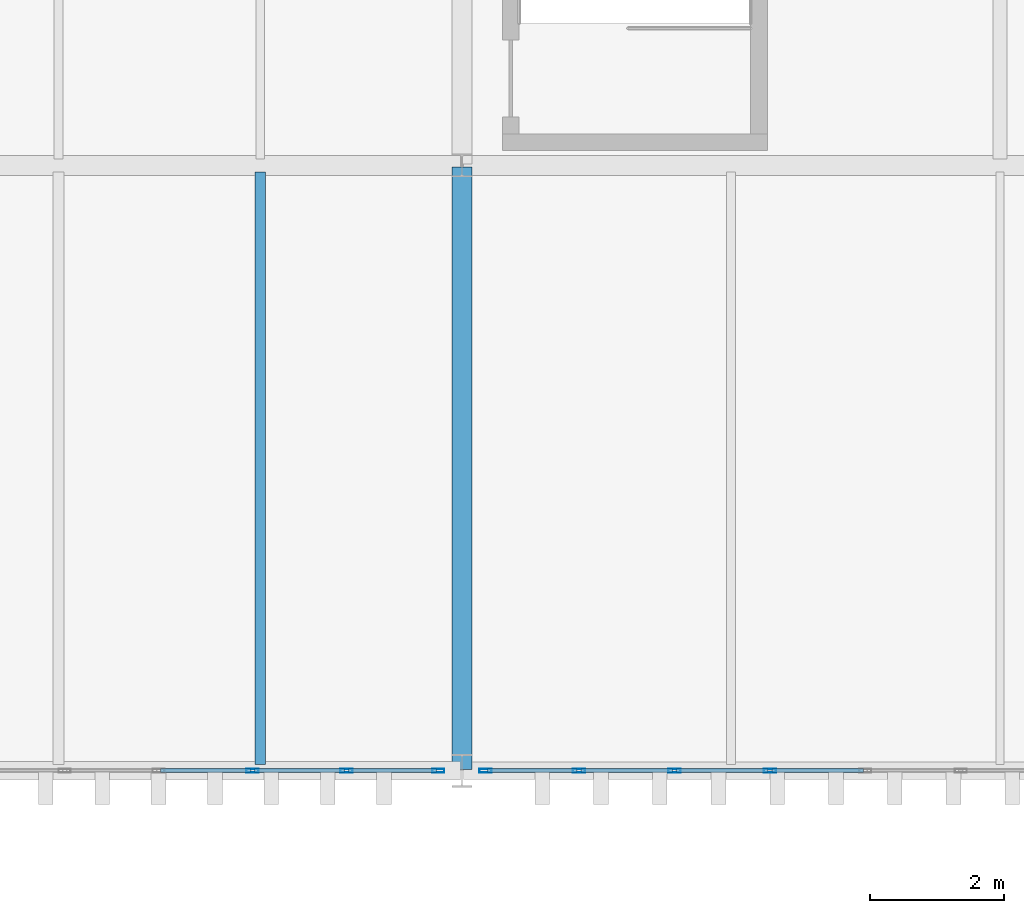
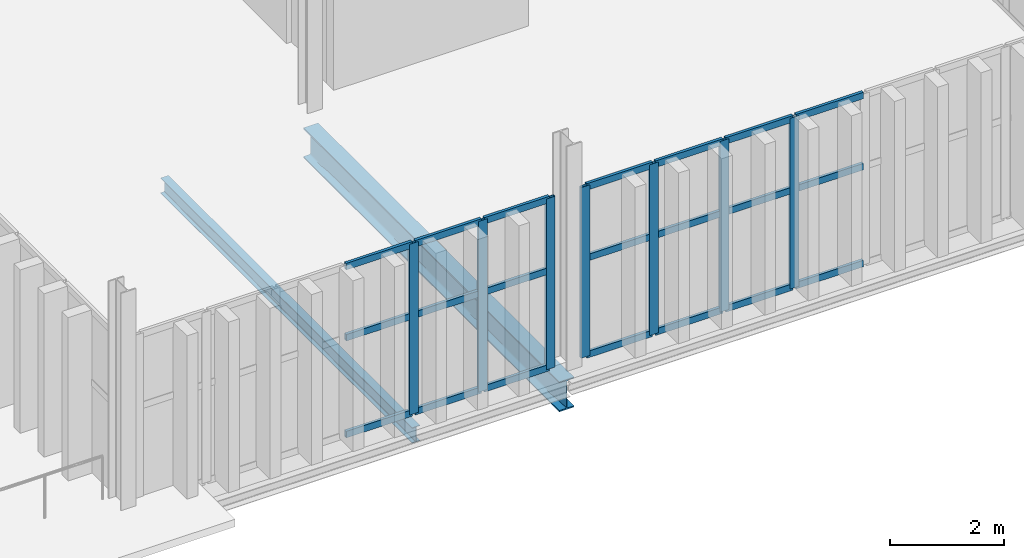
# One storey, part 106 of 196: 28 members, 2 beams, 2 elements without a shape of their own.
"""IFC4 building model written with IfcOpenShell, lengths in metres."""

from ifc_helpers import new_model, si_unit, direction, frame, origin, origin_2d, place, context, subcontext, project, spatial, hollow_rectangle, i_section, extrude, material, layer, layer_set, material_profile, profile_set, type_object, element, aggregate, save


model = new_model("IFC4")

# Units and contexts
model_context = context("Model", 3, precision=1e-05, world=origin(), true_north=direction((0.0, 1.0)))
body_context = subcontext(model_context, "Body", "Model", "MODEL_VIEW")
ifc_project = project(units=[si_unit("LENGTHUNIT", "METRE"), si_unit("AREAUNIT", "SQUARE_METRE"), si_unit("VOLUMEUNIT", "CUBIC_METRE"), si_unit("PLANEANGLEUNIT", "RADIAN"), si_unit("MASSUNIT", "GRAM", prefix="KILO")], contexts=[model_context])

# Site, building, storey
site_placement = place(None, origin())
site = spatial("IfcSite", under=ifc_project, at=site_placement, CompositionType="ELEMENT")
building_placement = place(site_placement, origin())
building = spatial("IfcBuilding", under=site, at=building_placement, Name="Barlavento Convention Centre", CompositionType="ELEMENT")
storey_placement = place(building_placement, frame((0.0, 0.0, 18.0)))
storey = spatial("IfcBuildingStorey", under=building, at=storey_placement, Name="L03", CompositionType="ELEMENT", Elevation=18.0)

# Curtain wall, members
ifc_material_1 = material(Name="Powder-coated aluminium and Low-E glass", Category="aluminium")
ifc_layer = layer(ifc_material_1, 0.179931640625)
ifc_layer_set = layer_set([ifc_layer], Name="ARC-CW-CONF-L03")
curtain_wall_type = type_object("IfcCurtainWallType", Name="ARC-CW-CONF-L03", PredefinedType="NOTDEFINED", material=ifc_layer_set)
curtain_wall_1_placement = place(storey_placement, origin())
curtain_wall_1 = element("IfcCurtainWall", 1, at=curtain_wall_1_placement, inside=storey, type_object=curtain_wall_type, Name="L03 unitised curtain wall CW08", PredefinedType="NOTDEFINED")
ifc_material_2 = material(Name="Powder-coated aluminium", Category="aluminium")
ifc_material_profile_1 = material_profile(ifc_material_2, hollow_rectangle(XDim=0.06005859375, YDim=0.179931640625, WallThickness=0.0048828125, at=origin_2d()), Name="AL-MULL 60x180x5")
ifc_profile_set_1 = profile_set([ifc_material_profile_1], Name="Powder-coated aluminium")
member_type_1 = type_object("IfcMemberType", Name="ARC-CWM-60X180", PredefinedType="MULLION", material=ifc_profile_set_1)
member_1_placement = place(storey_placement, frame((176.885009765625, 0.0, 0.0), z_axis=(0.0, 0.0, 1.0), x_axis=(0.0, 1.0, 0.0)))
member_1 = element("IfcMember", 2, at=member_1_placement, type_object=member_type_1, Name="CW08 mullion 5", PredefinedType="MULLION", context=body_context, shape_type="SweptSolid", body=[
    extrude(hollow_rectangle(XDim=0.06005859375, YDim=0.179931640625, WallThickness=0.0048828125, at=origin_2d()), origin(), (0.0, 0.0, 1.0), 3.64990234375),
])
member_2_placement = place(storey_placement, frame((178.282470703125, 0.0, 0.0), z_axis=(0.0, 0.0, 1.0), x_axis=(0.0, 1.0, 0.0)))
member_2 = element("IfcMember", 3, at=member_2_placement, type_object=member_type_1, Name="CW08 mullion 6", PredefinedType="MULLION", context=body_context, shape_type="SweptSolid", body=[
    extrude(hollow_rectangle(XDim=0.06005859375, YDim=0.179931640625, WallThickness=0.0048828125, at=origin_2d()), origin(), (0.0, 0.0, 1.0), 3.64990234375),
])
member_3_placement = place(storey_placement, frame((179.64990234375, 0.0, 0.0), z_axis=(0.0, 0.0, 1.0), x_axis=(0.0, 1.0, 0.0)))
member_3 = element("IfcMember", 4, at=member_3_placement, type_object=member_type_1, Name="CW08 mullion 7", PredefinedType="MULLION", context=body_context, shape_type="SweptSolid", body=[
    extrude(hollow_rectangle(XDim=0.06005859375, YDim=0.179931640625, WallThickness=0.0048828125, at=origin_2d()), origin(), (0.0, 0.0, 1.0), 3.64990234375),
])

curtain_wall_2_placement = place(storey_placement, origin())
curtain_wall_2 = element("IfcCurtainWall", 5, at=curtain_wall_2_placement, inside=storey, type_object=curtain_wall_type, Name="L03 unitised curtain wall CW08", PredefinedType="NOTDEFINED")
member_4_placement = place(storey_placement, frame((180.35009765625, 0.0, 0.0), z_axis=(0.0, 0.0, 1.0), x_axis=(0.0, 1.0, 0.0)))
member_4 = element("IfcMember", 6, at=member_4_placement, type_object=member_type_1, Name="CW08 mullion 1", PredefinedType="MULLION", context=body_context, shape_type="SweptSolid", body=[
    extrude(hollow_rectangle(XDim=0.06005859375, YDim=0.179931640625, WallThickness=0.0048828125, at=origin_2d()), origin(), (0.0, 0.0, 1.0), 3.64990234375),
])
member_5_placement = place(storey_placement, frame((181.739990234375, 0.0, 0.0), z_axis=(0.0, 0.0, 1.0), x_axis=(0.0, 1.0, 0.0)))
member_5 = element("IfcMember", 7, at=member_5_placement, type_object=member_type_1, Name="CW08 mullion 2", PredefinedType="MULLION", context=body_context, shape_type="SweptSolid", body=[
    extrude(hollow_rectangle(XDim=0.06005859375, YDim=0.179931640625, WallThickness=0.0048828125, at=origin_2d()), origin(), (0.0, 0.0, 1.0), 3.64990234375),
])
member_6_placement = place(storey_placement, frame((183.159912109375, 0.0, 0.0), z_axis=(0.0, 0.0, 1.0), x_axis=(0.0, 1.0, 0.0)))
member_6 = element("IfcMember", 8, at=member_6_placement, type_object=member_type_1, Name="CW08 mullion 3", PredefinedType="MULLION", context=body_context, shape_type="SweptSolid", body=[
    extrude(hollow_rectangle(XDim=0.06005859375, YDim=0.179931640625, WallThickness=0.0048828125, at=origin_2d()), origin(), (0.0, 0.0, 1.0), 3.64990234375),
])
member_7_placement = place(storey_placement, frame((184.580078125, 0.0, 0.0), z_axis=(0.0, 0.0, 1.0), x_axis=(0.0, 1.0, 0.0)))
member_7 = element("IfcMember", 9, at=member_7_placement, type_object=member_type_1, Name="CW08 mullion 4", PredefinedType="MULLION", context=body_context, shape_type="SweptSolid", body=[
    extrude(hollow_rectangle(XDim=0.06005859375, YDim=0.179931640625, WallThickness=0.0048828125, at=origin_2d()), origin(), (0.0, 0.0, 1.0), 3.64990234375),
])

# Member
ifc_material_profile_2 = material_profile(ifc_material_2, hollow_rectangle(XDim=0.06005859375, YDim=0.139892578125, WallThickness=0.00390625, at=origin_2d()), Name="AL-TRAN 60x140x4")
ifc_profile_set_2 = profile_set([ifc_material_profile_2], Name="Powder-coated aluminium")
member_type_2 = type_object("IfcMemberType", Name="ARC-CWT-60X140", PredefinedType="USERDEFINED", material=ifc_profile_set_2)
member_8_placement = place(storey_placement, frame((175.517578125, 0.0, 0.030029296875), z_axis=(1.0, 0.0, 0.0), x_axis=(0.0, 1.0, 0.0)))
member_8 = element("IfcMember", 10, at=member_8_placement, type_object=member_type_2, Name="CW08 transom 4.1", ObjectType="TRANSOM", PredefinedType="USERDEFINED", context=body_context, shape_type="SweptSolid", body=[
    extrude(hollow_rectangle(XDim=0.06005859375, YDim=0.139892578125, WallThickness=0.00390625, at=origin_2d()), origin(), (0.0, 0.0, 1.0), 1.33740234375),
])

member_9_placement = place(storey_placement, frame((175.517578125, 0.0, 2.10009765625), z_axis=(1.0, 0.0, 0.0), x_axis=(0.0, 1.0, 0.0)))
member_9 = element("IfcMember", 11, at=member_9_placement, type_object=member_type_2, Name="CW08 transom 4.2", ObjectType="TRANSOM", PredefinedType="USERDEFINED", context=body_context, shape_type="SweptSolid", body=[
    extrude(hollow_rectangle(XDim=0.06005859375, YDim=0.139892578125, WallThickness=0.00390625, at=origin_2d()), origin(), (0.0, 0.0, 1.0), 1.33740234375),
])

member_10_placement = place(storey_placement, frame((175.517578125, 0.0, 3.6201171875), z_axis=(1.0, 0.0, 0.0), x_axis=(0.0, 1.0, 0.0)))
member_10 = element("IfcMember", 12, at=member_10_placement, type_object=member_type_2, Name="CW08 transom 4.3", ObjectType="TRANSOM", PredefinedType="USERDEFINED", context=body_context, shape_type="SweptSolid", body=[
    extrude(hollow_rectangle(XDim=0.06005859375, YDim=0.139892578125, WallThickness=0.00390625, at=origin_2d()), origin(), (0.0, 0.0, 1.0), 1.33740234375),
])

member_11_placement = place(storey_placement, frame((176.9150390625, 0.0, 0.030029296875), z_axis=(1.0, 0.0, 0.0), x_axis=(0.0, 1.0, 0.0)))
member_11 = element("IfcMember", 13, at=member_11_placement, type_object=member_type_2, Name="CW08 transom 5.1", ObjectType="TRANSOM", PredefinedType="USERDEFINED", context=body_context, shape_type="SweptSolid", body=[
    extrude(hollow_rectangle(XDim=0.06005859375, YDim=0.139892578125, WallThickness=0.00390625, at=origin_2d()), origin(), (0.0, 0.0, 1.0), 1.33740234375),
])

member_12_placement = place(storey_placement, frame((176.9150390625, 0.0, 2.10009765625), z_axis=(1.0, 0.0, 0.0), x_axis=(0.0, 1.0, 0.0)))
member_12 = element("IfcMember", 14, at=member_12_placement, type_object=member_type_2, Name="CW08 transom 5.2", ObjectType="TRANSOM", PredefinedType="USERDEFINED", context=body_context, shape_type="SweptSolid", body=[
    extrude(hollow_rectangle(XDim=0.06005859375, YDim=0.139892578125, WallThickness=0.00390625, at=origin_2d()), origin(), (0.0, 0.0, 1.0), 1.33740234375),
])

member_13_placement = place(storey_placement, frame((176.9150390625, 0.0, 3.6201171875), z_axis=(1.0, 0.0, 0.0), x_axis=(0.0, 1.0, 0.0)))
member_13 = element("IfcMember", 15, at=member_13_placement, type_object=member_type_2, Name="CW08 transom 5.3", ObjectType="TRANSOM", PredefinedType="USERDEFINED", context=body_context, shape_type="SweptSolid", body=[
    extrude(hollow_rectangle(XDim=0.06005859375, YDim=0.139892578125, WallThickness=0.00390625, at=origin_2d()), origin(), (0.0, 0.0, 1.0), 1.33740234375),
])

member_14_placement = place(storey_placement, frame((178.3125, 0.0, 0.030029296875), z_axis=(1.0, 0.0, 0.0), x_axis=(0.0, 1.0, 0.0)))
member_14 = element("IfcMember", 16, at=member_14_placement, type_object=member_type_2, Name="CW08 transom 6.1", ObjectType="TRANSOM", PredefinedType="USERDEFINED", context=body_context, shape_type="SweptSolid", body=[
    extrude(hollow_rectangle(XDim=0.06005859375, YDim=0.139892578125, WallThickness=0.00390625, at=origin_2d()), origin(), (0.0, 0.0, 1.0), 1.3076171875),
])

member_15_placement = place(storey_placement, frame((178.3125, 0.0, 2.10009765625), z_axis=(1.0, 0.0, 0.0), x_axis=(0.0, 1.0, 0.0)))
member_15 = element("IfcMember", 17, at=member_15_placement, type_object=member_type_2, Name="CW08 transom 6.2", ObjectType="TRANSOM", PredefinedType="USERDEFINED", context=body_context, shape_type="SweptSolid", body=[
    extrude(hollow_rectangle(XDim=0.06005859375, YDim=0.139892578125, WallThickness=0.00390625, at=origin_2d()), origin(), (0.0, 0.0, 1.0), 1.3076171875),
])

member_16_placement = place(storey_placement, frame((178.3125, 0.0, 3.6201171875), z_axis=(1.0, 0.0, 0.0), x_axis=(0.0, 1.0, 0.0)))
member_16 = element("IfcMember", 18, at=member_16_placement, type_object=member_type_2, Name="CW08 transom 6.3", ObjectType="TRANSOM", PredefinedType="USERDEFINED", context=body_context, shape_type="SweptSolid", body=[
    extrude(hollow_rectangle(XDim=0.06005859375, YDim=0.139892578125, WallThickness=0.00390625, at=origin_2d()), origin(), (0.0, 0.0, 1.0), 1.3076171875),
])

aggregate(curtain_wall_1, [member_1, member_2, member_3, member_8, member_9, member_10, member_11, member_12, member_13, member_14, member_15, member_16])

member_17_placement = place(storey_placement, frame((180.3798828125, 0.0, 0.030029296875), z_axis=(1.0, 0.0, 0.0), x_axis=(0.0, 1.0, 0.0)))
member_17 = element("IfcMember", 19, at=member_17_placement, type_object=member_type_2, Name="CW08 transom 1.1", ObjectType="TRANSOM", PredefinedType="USERDEFINED", context=body_context, shape_type="SweptSolid", body=[
    extrude(hollow_rectangle(XDim=0.06005859375, YDim=0.139892578125, WallThickness=0.00390625, at=origin_2d()), origin(), (0.0, 0.0, 1.0), 1.330078125),
])

member_18_placement = place(storey_placement, frame((180.3798828125, 0.0, 2.10009765625), z_axis=(1.0, 0.0, 0.0), x_axis=(0.0, 1.0, 0.0)))
member_18 = element("IfcMember", 20, at=member_18_placement, type_object=member_type_2, Name="CW08 transom 1.2", ObjectType="TRANSOM", PredefinedType="USERDEFINED", context=body_context, shape_type="SweptSolid", body=[
    extrude(hollow_rectangle(XDim=0.06005859375, YDim=0.139892578125, WallThickness=0.00390625, at=origin_2d()), origin(), (0.0, 0.0, 1.0), 1.330078125),
])

member_19_placement = place(storey_placement, frame((180.3798828125, 0.0, 3.6201171875), z_axis=(1.0, 0.0, 0.0), x_axis=(0.0, 1.0, 0.0)))
member_19 = element("IfcMember", 21, at=member_19_placement, type_object=member_type_2, Name="CW08 transom 1.3", ObjectType="TRANSOM", PredefinedType="USERDEFINED", context=body_context, shape_type="SweptSolid", body=[
    extrude(hollow_rectangle(XDim=0.06005859375, YDim=0.139892578125, WallThickness=0.00390625, at=origin_2d()), origin(), (0.0, 0.0, 1.0), 1.330078125),
])

member_20_placement = place(storey_placement, frame((181.77001953125, 0.0, 0.030029296875), z_axis=(1.0, 0.0, 0.0), x_axis=(0.0, 1.0, 0.0)))
member_20 = element("IfcMember", 22, at=member_20_placement, type_object=member_type_2, Name="CW08 transom 2.1", ObjectType="TRANSOM", PredefinedType="USERDEFINED", context=body_context, shape_type="SweptSolid", body=[
    extrude(hollow_rectangle(XDim=0.06005859375, YDim=0.139892578125, WallThickness=0.00390625, at=origin_2d()), origin(), (0.0, 0.0, 1.0), 1.35986328125),
])

member_21_placement = place(storey_placement, frame((181.77001953125, 0.0, 2.10009765625), z_axis=(1.0, 0.0, 0.0), x_axis=(0.0, 1.0, 0.0)))
member_21 = element("IfcMember", 23, at=member_21_placement, type_object=member_type_2, Name="CW08 transom 2.2", ObjectType="TRANSOM", PredefinedType="USERDEFINED", context=body_context, shape_type="SweptSolid", body=[
    extrude(hollow_rectangle(XDim=0.06005859375, YDim=0.139892578125, WallThickness=0.00390625, at=origin_2d()), origin(), (0.0, 0.0, 1.0), 1.35986328125),
])

member_22_placement = place(storey_placement, frame((181.77001953125, 0.0, 3.6201171875), z_axis=(1.0, 0.0, 0.0), x_axis=(0.0, 1.0, 0.0)))
member_22 = element("IfcMember", 24, at=member_22_placement, type_object=member_type_2, Name="CW08 transom 2.3", ObjectType="TRANSOM", PredefinedType="USERDEFINED", context=body_context, shape_type="SweptSolid", body=[
    extrude(hollow_rectangle(XDim=0.06005859375, YDim=0.139892578125, WallThickness=0.00390625, at=origin_2d()), origin(), (0.0, 0.0, 1.0), 1.35986328125),
])

member_23_placement = place(storey_placement, frame((183.18994140625, 0.0, 0.030029296875), z_axis=(1.0, 0.0, 0.0), x_axis=(0.0, 1.0, 0.0)))
member_23 = element("IfcMember", 25, at=member_23_placement, type_object=member_type_2, Name="CW08 transom 3.1", ObjectType="TRANSOM", PredefinedType="USERDEFINED", context=body_context, shape_type="SweptSolid", body=[
    extrude(hollow_rectangle(XDim=0.06005859375, YDim=0.139892578125, WallThickness=0.00390625, at=origin_2d()), origin(), (0.0, 0.0, 1.0), 1.360107421875),
])

member_24_placement = place(storey_placement, frame((183.18994140625, 0.0, 2.10009765625), z_axis=(1.0, 0.0, 0.0), x_axis=(0.0, 1.0, 0.0)))
member_24 = element("IfcMember", 26, at=member_24_placement, type_object=member_type_2, Name="CW08 transom 3.2", ObjectType="TRANSOM", PredefinedType="USERDEFINED", context=body_context, shape_type="SweptSolid", body=[
    extrude(hollow_rectangle(XDim=0.06005859375, YDim=0.139892578125, WallThickness=0.00390625, at=origin_2d()), origin(), (0.0, 0.0, 1.0), 1.360107421875),
])

member_25_placement = place(storey_placement, frame((183.18994140625, 0.0, 3.6201171875), z_axis=(1.0, 0.0, 0.0), x_axis=(0.0, 1.0, 0.0)))
member_25 = element("IfcMember", 27, at=member_25_placement, type_object=member_type_2, Name="CW08 transom 3.3", ObjectType="TRANSOM", PredefinedType="USERDEFINED", context=body_context, shape_type="SweptSolid", body=[
    extrude(hollow_rectangle(XDim=0.06005859375, YDim=0.139892578125, WallThickness=0.00390625, at=origin_2d()), origin(), (0.0, 0.0, 1.0), 1.360107421875),
])

member_26_placement = place(storey_placement, frame((184.610107421875, 0.0, 0.030029296875), z_axis=(1.0, 0.0, 0.0), x_axis=(0.0, 1.0, 0.0)))
member_26 = element("IfcMember", 28, at=member_26_placement, type_object=member_type_2, Name="CW08 transom 4.1", ObjectType="TRANSOM", PredefinedType="USERDEFINED", context=body_context, shape_type="SweptSolid", body=[
    extrude(hollow_rectangle(XDim=0.06005859375, YDim=0.139892578125, WallThickness=0.00390625, at=origin_2d()), origin(), (0.0, 0.0, 1.0), 1.35986328125),
])

member_27_placement = place(storey_placement, frame((184.610107421875, 0.0, 2.10009765625), z_axis=(1.0, 0.0, 0.0), x_axis=(0.0, 1.0, 0.0)))
member_27 = element("IfcMember", 29, at=member_27_placement, type_object=member_type_2, Name="CW08 transom 4.2", ObjectType="TRANSOM", PredefinedType="USERDEFINED", context=body_context, shape_type="SweptSolid", body=[
    extrude(hollow_rectangle(XDim=0.06005859375, YDim=0.139892578125, WallThickness=0.00390625, at=origin_2d()), origin(), (0.0, 0.0, 1.0), 1.35986328125),
])

member_28_placement = place(storey_placement, frame((184.610107421875, 0.0, 3.6201171875), z_axis=(1.0, 0.0, 0.0), x_axis=(0.0, 1.0, 0.0)))
member_28 = element("IfcMember", 30, at=member_28_placement, type_object=member_type_2, Name="CW08 transom 4.3", ObjectType="TRANSOM", PredefinedType="USERDEFINED", context=body_context, shape_type="SweptSolid", body=[
    extrude(hollow_rectangle(XDim=0.06005859375, YDim=0.139892578125, WallThickness=0.00390625, at=origin_2d()), origin(), (0.0, 0.0, 1.0), 1.35986328125),
])

aggregate(curtain_wall_2, [member_4, member_5, member_6, member_7, member_17, member_18, member_19, member_20, member_21, member_22, member_23, member_24, member_25, member_26, member_27, member_28])

# Beams
ifc_material_3 = material(Name="Steel S355", Category="steel")
ifc_material_profile_3 = material_profile(ifc_material_3, i_section(OverallWidth=0.159912109375, OverallDepth=0.330078125, WebThickness=0.007568359375, FlangeThickness=0.011474609375, FilletRadius=0.01806640625, at=origin_2d()), Name="IPE 330")
ifc_profile_set_3 = profile_set([ifc_material_profile_3], Name="Steel S355")
beam_type_1 = type_object("IfcBeamType", Name="STR-BM-JST-IPE330", PredefinedType="JOIST", material=ifc_profile_set_3)
beam_1_placement = place(storey_placement, frame((177.0, 0.094970703125, -0.554931640625), z_axis=(0.0, 1.0, 0.0), x_axis=(-1.0, 0.0, 0.0)))
element("IfcBeam", 31, at=beam_1_placement, inside=storey, type_object=beam_type_1, Name="L03 composite floor joist SJ06", PredefinedType="JOIST", context=body_context, shape_type="SweptSolid", body=[
    extrude(i_section(OverallWidth=0.159912109375, OverallDepth=0.330078125, WebThickness=0.007568359375, FlangeThickness=0.011474609375, FilletRadius=0.01806640625, at=origin_2d()), origin(), (0.0, 0.0, 1.0), 8.81005859375),
])
ifc_material_profile_4 = material_profile(ifc_material_3, i_section(OverallWidth=0.300048828125, OverallDepth=0.639892578125, WebThickness=0.013427734375, FlangeThickness=0.02587890625, FilletRadius=0.027099609375, at=origin_2d()), Name="HEA 650")
ifc_profile_set_4 = profile_set([ifc_material_profile_4], Name="Steel S355")
beam_type_2 = type_object("IfcBeamType", Name="STR-BM-PRI-HEA650", PredefinedType="BEAM", material=ifc_profile_set_4)
beam_2_placement = place(storey_placement, frame((180.0, 0.02001953125, -0.7099609375), z_axis=(0.0, 1.0, 0.0), x_axis=(-1.0, 0.0, 0.0)))
element("IfcBeam", 32, at=beam_2_placement, inside=storey, type_object=beam_type_2, Name="L03 grid girder BG17", PredefinedType="BEAM", context=body_context, shape_type="SweptSolid", body=[
    extrude(i_section(OverallWidth=0.300048828125, OverallDepth=0.639892578125, WebThickness=0.013427734375, FlangeThickness=0.02587890625, FilletRadius=0.027099609375, at=origin_2d()), origin(), (0.0, 0.0, 1.0), 8.9599609375),
])

save(model, "model.ifc")
